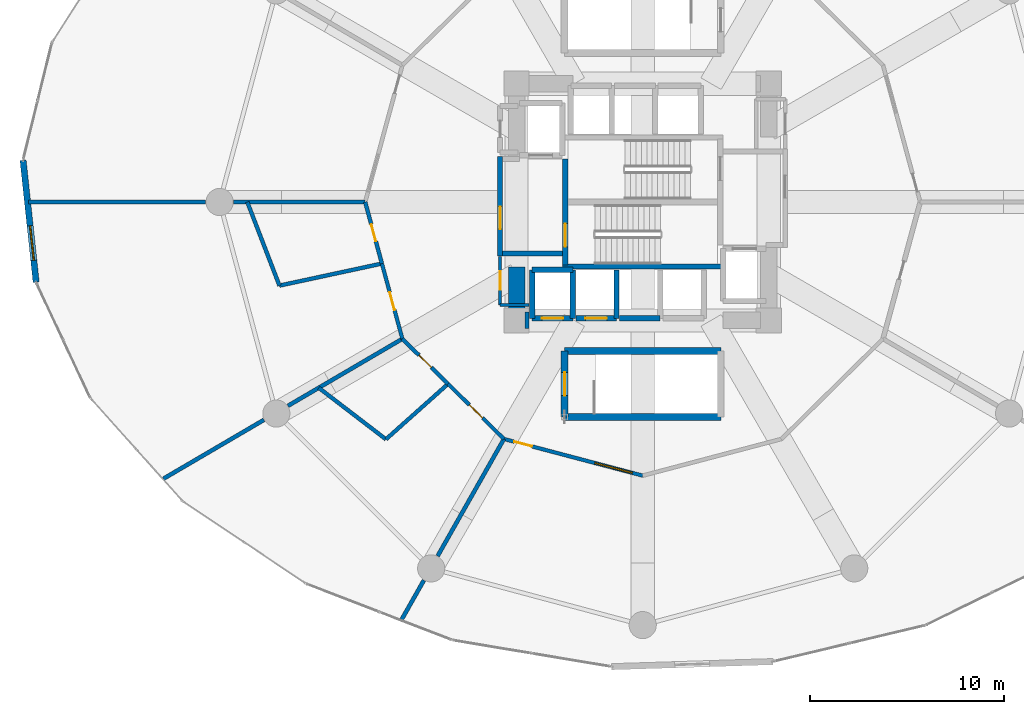
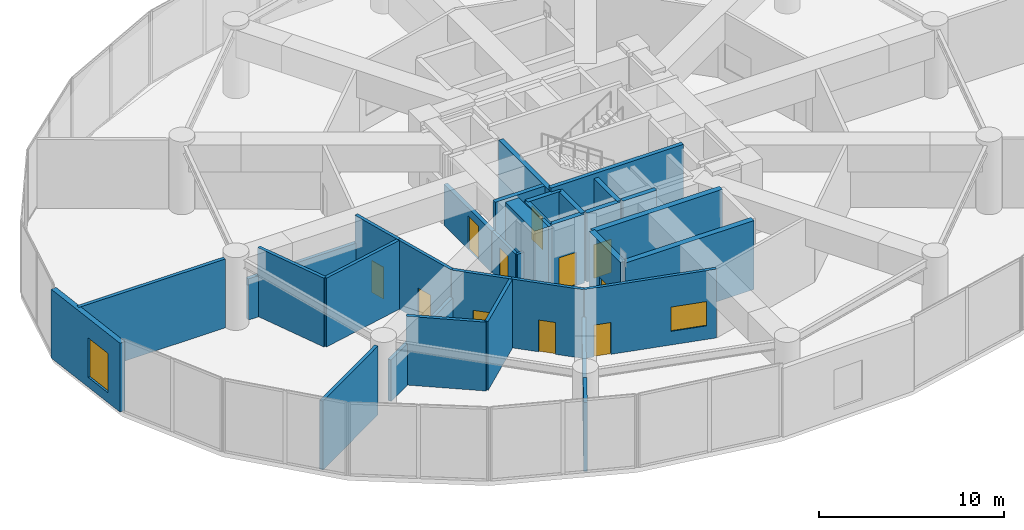
# One storey, part 23 of 27: 34 walls, 11 doors, 2 windows, 13 openings.
"""IFC4 building model written with IfcOpenShell, lengths in metres."""

from ifc_helpers import new_model, si_unit, direction, frame, frame_2d, origin, place, context, subcontext, project, spatial, rectangle, extrude, material, layer, layer_set, type_object, element, fill, save


model = new_model("IFC4")

# Units and contexts
model_context = context("Model", 3, precision=1e-05, world=origin(), true_north=direction((0.0, 1.0)))
body_context = subcontext(model_context, "Body", "Model", "MODEL_VIEW")
ifc_project = project(units=[si_unit("LENGTHUNIT", "METRE"), si_unit("AREAUNIT", "SQUARE_METRE"), si_unit("VOLUMEUNIT", "CUBIC_METRE"), si_unit("PLANEANGLEUNIT", "RADIAN"), si_unit("MASSUNIT", "GRAM", prefix="KILO")], contexts=[model_context])

# Site, building, storey
site_placement = place(None, origin())
site = spatial("IfcSite", under=ifc_project, at=site_placement, CompositionType="ELEMENT")
building_placement = place(site_placement, origin())
building = spatial("IfcBuilding", under=site, at=building_placement, Name="Solvirekh Grand Hotel", CompositionType="ELEMENT")
storey_placement = place(building_placement, frame((0.0, 0.0, 23.60009765625)))
storey = spatial("IfcBuildingStorey", under=building, at=storey_placement, Name="L04", CompositionType="ELEMENT", Elevation=23.60009765625)

# Wall
ifc_material_1 = material(Name="Concrete C50/60", Category="concrete")
ifc_layer_1 = layer(ifc_material_1, 0.35009765625)
ifc_layer_set_1 = layer_set([ifc_layer_1], Name="Concrete C50/60")
wall_type_1 = type_object("IfcWallType", Name="CoreDivWall_RC350", PredefinedType="SOLIDWALL", material=ifc_layer_set_1)
wall_1_placement = place(storey_placement, frame((-4.1298828125, -3.324951171875, 0.0), z_axis=(0.0, 0.0, 1.0), x_axis=(1.0, 0.0, 0.0)))
element("IfcWall", 1, at=wall_1_placement, inside=storey, type_object=wall_type_1, Name="L04 core stair box wall ST-S", PredefinedType="SOLIDWALL", context=body_context, shape_type="SweptSolid", body=[
    extrude(rectangle(XDim=8.259765625, YDim=0.25, at=frame_2d((4.1298828125, 0.0))), origin(), (0.0, 0.0, 1.0), 4.7998046875),
])

# Wall, opening, door
wall_2_placement = place(storey_placement, frame((-4.02490234375, -11.074951171875, 0.0), z_axis=(0.0, 0.0, 1.0), x_axis=(0.0, 1.0, 0.0)))
wall_2 = element("IfcWall", 2, at=wall_2_placement, inside=storey, type_object=wall_type_1, Name="L04 podium stair ST-3 west landing wall", PredefinedType="SOLIDWALL", context=body_context, shape_type="SweptSolid", body=[
    extrude(rectangle(XDim=3.39990234375, YDim=0.35009765625, at=frame_2d((1.699951171875, 0.0))), origin(), (0.0, 0.0, 1.0), 4.539794921875),
])
opening_1_placement = place(wall_2_placement, frame((1.10009765625, 0.0, 0.0)))
opening_1 = element("IfcOpeningElement", 3, at=opening_1_placement, cuts=wall_2, Name="Opening D05", PredefinedType="OPENING", context=body_context, shape_type="SweptSolid", body=[
    extrude(rectangle(XDim=1.199951171875, YDim=2.199951171875, at=frame_2d((0.60009765625, 1.10009765625))), frame((0.0, 0.18505859375, 0.0), z_axis=(0.0, -1.0, 0.0), x_axis=(1.0, 0.0, 0.0)), (0.0, 0.0, 1.0), 0.3701171875),
])
ifc_material_2 = material(Name="Fire-Rated Steel Door Assembly", Category="steel")
door_type_1 = type_object("IfcDoorType", Name="Door_StairCore_1200X2200", OperationType="NOTDEFINED", PredefinedType="DOOR", material=ifc_material_2)
door_1_placement = place(opening_1_placement, origin())
door_1 = element("IfcDoor", 4, at=door_1_placement, inside=storey, type_object=door_type_1, Name="L04 podium stair ST-3 fire door", OperationType="SINGLE_SWING_LEFT", OverallHeight=2.199951171875, OverallWidth=1.199951171875, PredefinedType="DOOR", context=body_context, shape_type="SweptSolid", body=[
    extrude(rectangle(XDim=1.199951171875, YDim=2.199951171875, at=frame_2d((0.60009765625, 1.10009765625))), frame((0.0, 0.02490234375, 0.0), z_axis=(0.0, -1.0, 0.0), x_axis=(1.0, 0.0, 0.0)), (0.0, 0.0, 1.0), 0.050048828125),
])
fill(opening_1, door_1)

# Walls
for number, where, z_axis, x_axis, name in (
    (5, (-4.02490234375, -11.074951171875, 0.0), (0.0, 0.0, 1.0), (1.0, 0.0, 0.0), "L04 podium stair ST-3 S enclosure wall"),
    (6, (4.02490234375, -7.675048828125, 0.0), (0.0, 0.0, 1.0), (-1.0, 0.0, 0.0), "L04 podium stair ST-3 N enclosure wall"),
):
    element("IfcWall", number, at=place(storey_placement, frame(where, z_axis=z_axis, x_axis=x_axis)), inside=storey, type_object=wall_type_1, Name=name, PredefinedType="SOLIDWALL", context=body_context, shape_type="SweptSolid", body=[
        extrude(rectangle(XDim=8.0498046875, YDim=0.35009765625, at=frame_2d((4.02490234375, 0.0))), origin(), (0.0, 0.0, 1.0), 4.539794921875),
    ])

# Wall, opening, door
ifc_material_3 = material(Name="Concrete C40/50", Category="concrete")
ifc_layer_2 = layer(ifc_material_3, 0.280029296875)
ifc_layer_set_2 = layer_set([ifc_layer_2], Name="Concrete C40/50")
wall_type_2 = type_object("IfcWallType", Name="CoreShaftWall_RC280", PredefinedType="SOLIDWALL", material=ifc_layer_set_2)
wall_3_placement = place(storey_placement, frame((-5.699951171875, -6.0, 0.0), z_axis=(0.0, 0.0, 1.0), x_axis=(1.0, 0.0, 0.0)))
wall_3 = element("IfcWall", 7, at=wall_3_placement, inside=storey, type_object=wall_type_2, Name="L04 LP-1 hoistway S wall", PredefinedType="SOLIDWALL", context=body_context, shape_type="SweptSolid", body=[
    extrude(rectangle(XDim=2.099853515625, YDim=0.280029296875, at=frame_2d((1.0498046875, 0.0))), origin(), (0.0, 0.0, 1.0), 4.539794921875),
])
opening_2_placement = place(wall_3_placement, frame((0.5, 0.0, 0.0)))
opening_2 = element("IfcOpeningElement", 8, at=opening_2_placement, cuts=wall_3, Name="Opening LD01", PredefinedType="OPENING", context=body_context, shape_type="SweptSolid", body=[
    extrude(rectangle(XDim=1.10009765625, YDim=2.199951171875, at=frame_2d((0.550048828125, 1.10009765625))), frame((0.0, 0.14990234375, 0.0), z_axis=(0.0, -1.0, 0.0), x_axis=(1.0, 0.0, 0.0)), (0.0, 0.0, 1.0), 0.300048828125),
])
door_type_2 = type_object("IfcDoorType", Name="Door_LiftLanding_1100X2200", OperationType="SLIDING_TO_LEFT", PredefinedType="DOOR", material=ifc_material_2)
door_2_placement = place(opening_2_placement, origin())
door_2 = element("IfcDoor", 9, at=door_2_placement, inside=storey, type_object=door_type_2, Name="L04 LP-1 sliding lift landing door", OperationType="SLIDING_TO_LEFT", OverallHeight=2.199951171875, OverallWidth=1.10009765625, PredefinedType="DOOR", context=body_context, shape_type="SweptSolid", body=[
    extrude(rectangle(XDim=1.10009765625, YDim=2.199951171875, at=frame_2d((0.550048828125, 1.10009765625))), frame((0.0, 0.02490234375, 0.0), z_axis=(0.0, -1.0, 0.0), x_axis=(1.0, 0.0, 0.0)), (0.0, 0.0, 1.0), 0.050048828125),
])
fill(opening_2, door_2)

# Walls
wall_4_placement = place(storey_placement, frame((-3.60009765625, -3.5, 0.0), z_axis=(0.0, 0.0, 1.0), x_axis=(-1.0, 0.0, 0.0)))
element("IfcWall", 10, at=wall_4_placement, inside=storey, type_object=wall_type_2, Name="L04 LP-1 hoistway N wall", PredefinedType="SOLIDWALL", context=body_context, shape_type="SweptSolid", body=[
    extrude(rectangle(XDim=2.099853515625, YDim=0.280029296875, at=frame_2d((1.0498046875, 0.0))), origin(), (0.0, 0.0, 1.0), 4.539794921875),
])
for number, where, z_axis, x_axis, name in (
    (11, (-5.699951171875, -3.5, 0.0), (0.0, 0.0, 1.0), (0.0, -1.0, 0.0), "L04 LP-1 hoistway W wall"),
    (12, (-3.60009765625, -6.0, 0.0), (0.0, 0.0, 1.0), (0.0, 1.0, 0.0), "L04 LP-1 hoistway E wall"),
):
    element("IfcWall", number, at=place(storey_placement, frame(where, z_axis=z_axis, x_axis=x_axis)), inside=storey, type_object=wall_type_2, Name=name, PredefinedType="SOLIDWALL", context=body_context, shape_type="SweptSolid", body=[
        extrude(rectangle(XDim=2.5, YDim=0.280029296875, at=frame_2d((1.25, 0.0))), origin(), (0.0, 0.0, 1.0), 4.539794921875),
    ])

# Wall, opening, door
wall_5_placement = place(storey_placement, frame((-3.449951171875, -6.0, 0.0), z_axis=(0.0, 0.0, 1.0), x_axis=(1.0, 0.0, 0.0)))
wall_5 = element("IfcWall", 13, at=wall_5_placement, inside=storey, type_object=wall_type_2, Name="L04 LP-2 hoistway S wall", PredefinedType="SOLIDWALL", context=body_context, shape_type="SweptSolid", body=[
    extrude(rectangle(XDim=2.099853515625, YDim=0.280029296875, at=frame_2d((1.0498046875, 0.0))), origin(), (0.0, 0.0, 1.0), 4.539794921875),
])
opening_3_placement = place(wall_5_placement, frame((0.5, 0.0, 0.0)))
opening_3 = element("IfcOpeningElement", 14, at=opening_3_placement, cuts=wall_5, Name="Opening LD01", PredefinedType="OPENING", context=body_context, shape_type="SweptSolid", body=[
    extrude(rectangle(XDim=1.10009765625, YDim=2.199951171875, at=frame_2d((0.550048828125, 1.10009765625))), frame((0.0, 0.14990234375, 0.0), z_axis=(0.0, -1.0, 0.0), x_axis=(1.0, 0.0, 0.0)), (0.0, 0.0, 1.0), 0.300048828125),
])
door_3_placement = place(opening_3_placement, origin())
door_3 = element("IfcDoor", 15, at=door_3_placement, inside=storey, type_object=door_type_2, Name="L04 LP-2 sliding lift landing door", OperationType="SLIDING_TO_LEFT", OverallHeight=2.199951171875, OverallWidth=1.10009765625, PredefinedType="DOOR", context=body_context, shape_type="SweptSolid", body=[
    extrude(rectangle(XDim=1.10009765625, YDim=2.199951171875, at=frame_2d((0.550048828125, 1.10009765625))), frame((0.0, 0.02490234375, 0.0), z_axis=(0.0, -1.0, 0.0), x_axis=(1.0, 0.0, 0.0)), (0.0, 0.0, 1.0), 0.050048828125),
])
fill(opening_3, door_3)

# Walls
wall_6_placement = place(storey_placement, frame((-1.35009765625, -6.0, 0.0), z_axis=(0.0, 0.0, 1.0), x_axis=(0.0, 1.0, 0.0)))
element("IfcWall", 16, at=wall_6_placement, inside=storey, type_object=wall_type_2, Name="L04 LP-2 hoistway E wall", PredefinedType="SOLIDWALL", context=body_context, shape_type="SweptSolid", body=[
    extrude(rectangle(XDim=2.5, YDim=0.280029296875, at=frame_2d((1.25, 0.0))), origin(), (0.0, 0.0, 1.0), 4.539794921875),
])
wall_7_placement = place(storey_placement, frame((-1.199951171875, -6.0, 0.0), z_axis=(0.0, 0.0, 1.0), x_axis=(1.0, 0.0, 0.0)))
element("IfcWall", 17, at=wall_7_placement, inside=storey, type_object=wall_type_2, Name="L04 MP-1 hoistway S wall", PredefinedType="SOLIDWALL", context=body_context, shape_type="SweptSolid", body=[
    extrude(rectangle(XDim=2.099853515625, YDim=0.280029296875, at=frame_2d((1.0498046875, 0.0))), origin(), (0.0, 0.0, 1.0), 4.539794921875),
])

# Wall, opening, door
wall_8_placement = place(storey_placement, frame((-3.989990234375, -3.25, 0.0), z_axis=(0.0, 0.0, 1.0), x_axis=(0.0, 1.0, 0.0)))
wall_8 = element("IfcWall", 18, at=wall_8_placement, inside=storey, type_object=wall_type_2, Name="L04 west stair landing enclosure wall", PredefinedType="SOLIDWALL", context=body_context, shape_type="SweptSolid", body=[
    extrude(rectangle(XDim=5.4599609375, YDim=0.280029296875, at=frame_2d((2.72998046875, 0.0))), origin(), (0.0, 0.0, 1.0), 4.539794921875),
])
opening_4_placement = place(wall_8_placement, frame((0.93701171875, 0.0, 0.0)))
opening_4 = element("IfcOpeningElement", 19, at=opening_4_placement, cuts=wall_8, Name="Opening D05", PredefinedType="OPENING", context=body_context, shape_type="SweptSolid", body=[
    extrude(rectangle(XDim=1.199951171875, YDim=2.199951171875, at=frame_2d((0.60009765625, 1.10009765625))), frame((0.0, 0.14990234375, 0.0), z_axis=(0.0, -1.0, 0.0), x_axis=(1.0, 0.0, 0.0)), (0.0, 0.0, 1.0), 0.300048828125),
])
door_4_placement = place(opening_4_placement, origin())
door_4 = element("IfcDoor", 20, at=door_4_placement, inside=storey, type_object=door_type_1, Name="L04 exit stair ST-1 fire door", OperationType="SINGLE_SWING_LEFT", OverallHeight=2.199951171875, OverallWidth=1.199951171875, PredefinedType="DOOR", context=body_context, shape_type="SweptSolid", body=[
    extrude(rectangle(XDim=1.199951171875, YDim=2.199951171875, at=frame_2d((0.60009765625, 1.10009765625))), frame((0.0, 0.02490234375, 0.0), z_axis=(0.0, -1.0, 0.0), x_axis=(1.0, 0.0, 0.0)), (0.0, 0.0, 1.0), 0.050048828125),
])
fill(opening_4, door_4)

# Walls
ifc_material_4 = material(Name="Concrete C60/75", Category="concrete")
ifc_layer_3 = layer(ifc_material_4, 0.85009765625)
ifc_layer_set_3 = layer_set([ifc_layer_3], Name="Concrete C60/75")
wall_type_3 = type_object("IfcWallType", Name="CoreWall_RC850", PredefinedType="SHEAR", material=ifc_layer_set_3)
wall_9_placement = place(storey_placement, frame((-6.074951171875, -6.10009765625, 0.0), z_axis=(0.0, 0.0, 1.0), x_axis=(1.0, 0.0, 0.0)))
element("IfcWall", 21, at=wall_9_placement, inside=storey, type_object=wall_type_3, Name="L04 core corner shear wall SW-S", PredefinedType="SHEAR", context=body_context, shape_type="SweptSolid", body=[
    extrude(rectangle(XDim=0.224853515625, YDim=0.85009765625, at=frame_2d((0.1123046875, 0.0))), origin(), (0.0, 0.0, 1.0), 4.7998046875),
])
wall_10_placement = place(storey_placement, frame((-6.5, -6.52490234375, 0.0), z_axis=(0.0, 0.0, 1.0), x_axis=(0.0, 1.0, 0.0)))
element("IfcWall", 22, at=wall_10_placement, inside=storey, type_object=wall_type_3, Name="L04 core corner shear wall WS-W", PredefinedType="SHEAR", context=body_context, shape_type="SweptSolid", body=[
    extrude(rectangle(XDim=3.1748046875, YDim=0.85009765625, at=frame_2d((1.58740234375, 0.0))), origin(), (0.0, 0.0, 1.0), 4.7998046875),
])

# Wall, opening, window
ifc_material_5 = material(Name="Precast concrete C45/55", Category="concrete")
ifc_layer_4 = layer(ifc_material_5, 0.320068359375)
ifc_layer_set_4 = layer_set([ifc_layer_4], Name="Precast concrete C45/55")
wall_type_4 = type_object("IfcWallType", Name="ExtLobbyWall_RC320", PredefinedType="SOLIDWALL", material=ifc_layer_set_4)
wall_11_placement = place(storey_placement, frame((-31.256103515625, -4.1279296875, 0.0), z_axis=(0.0, 0.0, 1.0), x_axis=(-0.106530390003, 0.994309446805, 0.0)))
wall_11 = element("IfcWall", 23, at=wall_11_placement, inside=storey, type_object=wall_type_4, Name="L04 exterior structural wall chord 13", PredefinedType="SOLIDWALL", context=body_context, shape_type="SweptSolid", body=[
    extrude(rectangle(XDim=6.306884765625, YDim=0.320068359375, at=frame_2d((3.1533203125, 0.0))), origin(), (0.0, 0.0, 1.0), 4.539794921875),
])
opening_5_placement = place(wall_11_placement, frame((1.1240234375, 0.0, 0.64990234375)))
opening_5 = element("IfcOpeningElement", 24, at=opening_5_placement, cuts=wall_11, Name="Opening W02", PredefinedType="OPENING", context=body_context, shape_type="SweptSolid", body=[
    extrude(rectangle(XDim=1.800048828125, YDim=2.60009765625, at=frame_2d((0.89990234375, 1.300048828125))), frame((0.0, 0.169921875, 0.0), z_axis=(0.0, -1.0, 0.0), x_axis=(1.0, 0.0, 0.0)), (0.0, 0.0, 1.0), 0.340087890625),
])
ifc_material_6 = material(Name="Low-E Tinted Bronze Laminated Glass", Category="aluminium")
window_type_1 = type_object("IfcWindowType", Name="Win_LobbyExt_1800X2600", PartitioningType="SINGLE_PANEL", PredefinedType="WINDOW", material=ifc_material_6)
window_1_placement = place(opening_5_placement, origin())
window_1 = element("IfcWindow", 25, at=window_1_placement, inside=storey, type_object=window_type_1, Name="L04 panoramic bronze-framed window 13", OverallHeight=2.60009765625, OverallWidth=1.800048828125, PartitioningType="SINGLE_PANEL", PredefinedType="WINDOW", context=body_context, shape_type="SweptSolid", body=[
    extrude(rectangle(XDim=1.800048828125, YDim=2.60009765625, at=frame_2d((0.89990234375, 1.300048828125))), frame((0.0, 0.030029296875, 0.0), z_axis=(0.0, -1.0, 0.0), x_axis=(1.0, 0.0, 0.0)), (0.0, 0.0, 1.0), 0.06005859375),
])
fill(opening_5, window_1)

# Wall
ifc_material_7 = material(Name="Acoustic Gypsum Partition Assembly")
ifc_layer_5 = layer(ifc_material_7, 0.1650390625)
ifc_layer_set_5 = layer_set([ifc_layer_5], Name="Acoustic Gypsum Partition Assembly")
wall_type_5 = type_object("IfcWallType", Name="Part_BOH_165", PredefinedType="PARTITIONING", material=ifc_layer_set_5)
wall_12_placement = place(storey_placement, frame((-7.35009765625, -5.300048828125, 0.0), z_axis=(0.0, 0.0, 1.0), x_axis=(1.0, 0.0, 0.0)))
element("IfcWall", 26, at=wall_12_placement, inside=storey, type_object=wall_type_5, Name="L04 L04 Core Linen Store wall 1", PredefinedType="PARTITIONING", context=body_context, shape_type="SweptSolid", body=[
    extrude(rectangle(XDim=1.5, YDim=0.1650390625, at=frame_2d((0.75, 0.0))), origin(), (0.0, 0.0, 1.0), 2.724853515625),
])

# Wall, opening, door
wall_13_placement = place(storey_placement, frame((-7.35009765625, -2.800048828125, 0.0), z_axis=(0.0, 0.0, 1.0), x_axis=(0.0, -1.0, 0.0)))
wall_13 = element("IfcWall", 27, at=wall_13_placement, inside=storey, type_object=wall_type_5, Name="L04 L04 Core Linen Store wall 4", PredefinedType="PARTITIONING", context=body_context, shape_type="SweptSolid", body=[
    extrude(rectangle(XDim=2.5, YDim=0.1650390625, at=frame_2d((1.25, 0.0))), origin(), (0.0, 0.0, 1.0), 2.724853515625),
])
opening_6_placement = place(wall_13_placement, frame((0.77490234375, 0.0, 0.0)))
opening_6 = element("IfcOpeningElement", 28, at=opening_6_placement, cuts=wall_13, Name="Opening D10", PredefinedType="OPENING", context=body_context, shape_type="SweptSolid", body=[
    extrude(rectangle(XDim=0.949951171875, YDim=2.10009765625, at=frame_2d((0.47509765625, 1.050048828125))), frame((0.0, 0.092529296875, 0.0), z_axis=(0.0, -1.0, 0.0), x_axis=(1.0, 0.0, 0.0)), (0.0, 0.0, 1.0), 0.18505859375),
])
ifc_material_8 = material(Name="Anodized Bronze Aluminium 6063-T6", Category="aluminium")
door_type_3 = type_object("IfcDoorType", Name="Door_RoomInt_950X2100", OperationType="NOTDEFINED", PredefinedType="DOOR", material=ifc_material_8)
door_5_placement = place(opening_6_placement, origin())
door_5 = element("IfcDoor", 29, at=door_5_placement, inside=storey, type_object=door_type_3, Name="L04 L04 Core Linen Store door", OperationType="SINGLE_SWING_RIGHT", OverallHeight=2.10009765625, OverallWidth=0.949951171875, PredefinedType="DOOR", context=body_context, shape_type="SweptSolid", body=[
    extrude(rectangle(XDim=0.949951171875, YDim=2.10009765625, at=frame_2d((0.47509765625, 1.050048828125))), frame((0.0, 0.02490234375, 0.0), z_axis=(0.0, -1.0, 0.0), x_axis=(1.0, 0.0, 0.0)), (0.0, 0.0, 1.0), 0.050048828125),
])
fill(opening_6, door_5)

ifc_layer_6 = layer(ifc_material_7, 0.239990234375)
ifc_layer_set_6 = layer_set([ifc_layer_6], Name="Acoustic Gypsum Partition Assembly")
wall_type_6 = type_object("IfcWallType", Name="Part_Corridor_240", PredefinedType="PARTITIONING", material=ifc_layer_set_6)
wall_14_placement = place(storey_placement, frame((-7.35009765625, -2.780029296875, 0.0), z_axis=(0.0, 0.0, 1.0), x_axis=(0.0, 1.0, 0.0)))
wall_14 = element("IfcWall", 30, at=wall_14_placement, inside=storey, type_object=wall_type_6, Name="L04 west firefighting lobby smoke screen wall", PredefinedType="PARTITIONING", context=body_context, shape_type="SweptSolid", body=[
    extrude(rectangle(XDim=5.1201171875, YDim=0.239990234375, at=frame_2d((2.56005859375, 0.0))), origin(), (0.0, 0.0, 1.0), 2.724853515625),
])
opening_7_placement = place(wall_14_placement, frame((1.388916015625, 0.0, 0.0)))
opening_7 = element("IfcOpeningElement", 31, at=opening_7_placement, cuts=wall_14, Name="Opening D06", PredefinedType="OPENING", context=body_context, shape_type="SweptSolid", body=[
    extrude(rectangle(XDim=1.14990234375, YDim=2.199951171875, at=frame_2d((0.574951171875, 1.10009765625))), frame((0.0, 0.1298828125, 0.0), z_axis=(0.0, -1.0, 0.0), x_axis=(1.0, 0.0, 0.0)), (0.0, 0.0, 1.0), 0.260009765625),
])
door_type_4 = type_object("IfcDoorType", Name="Door_FFLobby_1150X2200", OperationType="NOTDEFINED", PredefinedType="DOOR", material=ifc_material_2)
door_6_placement = place(opening_7_placement, origin())
door_6 = element("IfcDoor", 32, at=door_6_placement, inside=storey, type_object=door_type_4, Name="L04 west firefighting lobby smoke door", OperationType="SINGLE_SWING_LEFT", OverallHeight=2.199951171875, OverallWidth=1.14990234375, PredefinedType="DOOR", context=body_context, shape_type="SweptSolid", body=[
    extrude(rectangle(XDim=1.14990234375, YDim=2.199951171875, at=frame_2d((0.574951171875, 1.10009765625))), frame((0.0, 0.02490234375, 0.0), z_axis=(0.0, -1.0, 0.0), x_axis=(1.0, 0.0, 0.0)), (0.0, 0.0, 1.0), 0.050048828125),
])
fill(opening_7, door_6)

ifc_layer_7 = layer(ifc_material_7, 0.18994140625)
ifc_layer_set_7 = layer_set([ifc_layer_7], Name="Acoustic Gypsum Partition Assembly")
wall_type_7 = type_object("IfcWallType", Name="Part_GuestDemise_190", PredefinedType="PARTITIONING", material=ifc_layer_set_7)
wall_15_placement = place(storey_placement, frame((-13.43798828125, -3.172119140625, 0.0), z_axis=(0.0, 0.0, 1.0), x_axis=(0.262269103922, -0.9649947757, 0.0)))
wall_15 = element("IfcWall", 33, at=wall_15_placement, inside=storey, type_object=wall_type_7, Name="L04 Spa Herbal Tea & Relaxation Salon corridor wall", PredefinedType="PARTITIONING", context=body_context, shape_type="SweptSolid", body=[
    extrude(rectangle(XDim=4.0185546875, YDim=0.18994140625, at=frame_2d((2.00927734375, 0.0))), origin(), (0.0, 0.0, 1.0), 4.539794921875),
])
opening_8_placement = place(wall_15_placement, frame((1.533935546875, 0.0, 0.0)))
opening_8 = element("IfcOpeningElement", 34, at=opening_8_placement, cuts=wall_15, Name="Opening D10", PredefinedType="OPENING", context=body_context, shape_type="SweptSolid", body=[
    extrude(rectangle(XDim=0.949951171875, YDim=2.10009765625, at=frame_2d((0.47509765625, 1.050048828125))), frame((0.0, 0.10498046875, 0.0), z_axis=(0.0, -1.0, 0.0), x_axis=(1.0, 0.0, 0.0)), (0.0, 0.0, 1.0), 0.2099609375),
])
door_7_placement = place(opening_8_placement, origin())
door_7 = element("IfcDoor", 35, at=door_7_placement, inside=storey, type_object=door_type_3, Name="L04 Spa Herbal Tea & Relaxation Salon entrance door", OperationType="SINGLE_SWING_LEFT", OverallHeight=2.10009765625, OverallWidth=0.949951171875, PredefinedType="DOOR", context=body_context, shape_type="SweptSolid", body=[
    extrude(rectangle(XDim=0.949951171875, YDim=2.10009765625, at=frame_2d((0.47509765625, 1.050048828125))), frame((0.0, 0.02490234375, 0.0), z_axis=(0.0, -1.0, 0.0), x_axis=(1.0, 0.0, 0.0)), (0.0, 0.0, 1.0), 0.050048828125),
])
fill(opening_8, door_7)

wall_16_placement = place(storey_placement, frame((-10.029052734375, -9.3720703125, 0.0), z_axis=(0.0, 0.0, 1.0), x_axis=(0.712070649597, -0.702107819343, 0.0)))
wall_16 = element("IfcWall", 36, at=wall_16_placement, inside=storey, type_object=wall_type_7, Name="L04 Beauty & Aromatherapy Salon corridor wall", PredefinedType="PARTITIONING", context=body_context, shape_type="SweptSolid", body=[
    extrude(rectangle(XDim=4.04345703125, YDim=0.18994140625, at=frame_2d((2.021728515625, 0.0))), origin(), (0.0, 0.0, 1.0), 4.539794921875),
])
opening_9_placement = place(wall_16_placement, frame((1.547119140625, 0.0, 0.0)))
opening_9 = element("IfcOpeningElement", 37, at=opening_9_placement, cuts=wall_16, Name="Opening D10", PredefinedType="OPENING", context=body_context, shape_type="SweptSolid", body=[
    extrude(rectangle(XDim=0.949951171875, YDim=2.10009765625, at=frame_2d((0.47509765625, 1.050048828125))), frame((0.0, 0.10498046875, 0.0), z_axis=(0.0, -1.0, 0.0), x_axis=(1.0, 0.0, 0.0)), (0.0, 0.0, 1.0), 0.2099609375),
])
door_8_placement = place(opening_9_placement, origin())
door_8 = element("IfcDoor", 38, at=door_8_placement, inside=storey, type_object=door_type_3, Name="L04 Beauty & Aromatherapy Salon entrance door", OperationType="SINGLE_SWING_LEFT", OverallHeight=2.10009765625, OverallWidth=0.949951171875, PredefinedType="DOOR", context=body_context, shape_type="SweptSolid", body=[
    extrude(rectangle(XDim=0.949951171875, YDim=2.10009765625, at=frame_2d((0.47509765625, 1.050048828125))), frame((0.0, 0.02490234375, 0.0), z_axis=(0.0, -1.0, 0.0), x_axis=(1.0, 0.0, 0.0)), (0.0, 0.0, 1.0), 0.050048828125),
])
fill(opening_9, door_8)

# Wall, openings, door, window
wall_17_placement = place(storey_placement, frame((-7.14990234375, -12.2109375, 0.0), z_axis=(0.0, 0.0, 1.0), x_axis=(0.966820901533, -0.255455170937, 0.0)))
wall_17 = element("IfcWall", 39, at=wall_17_placement, inside=storey, type_object=wall_type_7, Name="L04 Holistic Massage & Treatment Hall corridor wall", PredefinedType="PARTITIONING", context=body_context, shape_type="SweptSolid", body=[
    extrude(rectangle(XDim=7.395263671875, YDim=0.18994140625, at=frame_2d((3.69775390625, 0.0))), origin(), (0.0, 0.0, 1.0), 4.539794921875),
])
opening_10_placement = place(wall_17_placement, frame((0.550048828125, 0.0, 0.0)))
opening_10 = element("IfcOpeningElement", 40, at=opening_10_placement, cuts=wall_17, Name="Opening D10", PredefinedType="OPENING", context=body_context, shape_type="SweptSolid", body=[
    extrude(rectangle(XDim=0.949951171875, YDim=2.10009765625, at=frame_2d((0.47509765625, 1.050048828125))), frame((0.0, 0.10498046875, 0.0), z_axis=(0.0, -1.0, 0.0), x_axis=(1.0, 0.0, 0.0)), (0.0, 0.0, 1.0), 0.2099609375),
])
opening_11_placement = place(wall_17_placement, frame((4.844970703125, 0.0, 0.89990234375)))
opening_11 = element("IfcOpeningElement", 41, at=opening_11_placement, cuts=wall_17, Name="Opening W03", PredefinedType="OPENING", context=body_context, shape_type="SweptSolid", body=[
    extrude(rectangle(XDim=2.0, YDim=1.60009765625, at=frame_2d((1.0, 0.800048828125))), frame((0.0, 0.10498046875, 0.0), z_axis=(0.0, -1.0, 0.0), x_axis=(1.0, 0.0, 0.0)), (0.0, 0.0, 1.0), 0.2099609375),
])
door_9_placement = place(opening_10_placement, origin())
door_9 = element("IfcDoor", 42, at=door_9_placement, inside=storey, type_object=door_type_3, Name="L04 Holistic Massage & Treatment Hall entrance door", OperationType="SINGLE_SWING_RIGHT", OverallHeight=2.10009765625, OverallWidth=0.949951171875, PredefinedType="DOOR", context=body_context, shape_type="SweptSolid", body=[
    extrude(rectangle(XDim=0.949951171875, YDim=2.10009765625, at=frame_2d((0.47509765625, 1.050048828125))), frame((0.0, 0.02490234375, 0.0), z_axis=(0.0, -1.0, 0.0), x_axis=(1.0, 0.0, 0.0)), (0.0, 0.0, 1.0), 0.050048828125),
])
fill(opening_10, door_9)
ifc_material_9 = material(Name="Fire-Rated Ceramic Glazing", Category="glass")
window_type_2 = type_object("IfcWindowType", Name="Win_FoyerInt_2000X1600", PartitioningType="SINGLE_PANEL", PredefinedType="WINDOW", material=ifc_material_9)
window_2_placement = place(opening_11_placement, origin())
window_2 = element("IfcWindow", 43, at=window_2_placement, inside=storey, type_object=window_type_2, Name="L04 Holistic Massage & Treatment Hall interior glazed screen", OverallHeight=1.60009765625, OverallWidth=2.0, PartitioningType="SINGLE_PANEL", PredefinedType="WINDOW", context=body_context, shape_type="SweptSolid", body=[
    extrude(rectangle(XDim=2.0, YDim=1.60009765625, at=frame_2d((1.0, 0.800048828125))), frame((0.0, 0.030029296875, 0.0), z_axis=(0.0, -1.0, 0.0), x_axis=(1.0, 0.0, 0.0)), (0.0, 0.0, 1.0), 0.06005859375),
])
fill(opening_11, window_2)

# Walls
ifc_layer_8 = layer(ifc_material_7, 0.260009765625)
ifc_layer_set_8 = layer_set([ifc_layer_8], Name="Acoustic Gypsum Partition Assembly")
wall_type_8 = type_object("IfcWallType", Name="Part_LobbyFF_260", PredefinedType="PARTITIONING", material=ifc_layer_set_8)
wall_18_placement = place(storey_placement, frame((-7.22509765625, -2.64990234375, 0.0), z_axis=(0.0, 0.0, 1.0), x_axis=(1.0, 0.0, 0.0)))
element("IfcWall", 44, at=wall_18_placement, inside=storey, type_object=wall_type_8, Name="L04 west firefighting lobby south partition", PredefinedType="PARTITIONING", context=body_context, shape_type="SweptSolid", body=[
    extrude(rectangle(XDim=3.09521484375, YDim=0.260009765625, at=frame_2d((1.547607421875, 0.0))), origin(), (0.0, 0.0, 1.0), 4.539794921875),
])
ifc_layer_9 = layer(ifc_material_7, 0.2099609375)
ifc_layer_set_9 = layer_set([ifc_layer_9], Name="Acoustic Gypsum Partition Assembly")
wall_type_9 = type_object("IfcWallType", Name="Part_SuiteDemise_210", PredefinedType="PARTITIONING", material=ifc_layer_set_9)
wall_19_placement = place(storey_placement, frame((-14.300048828125, 0.0, 0.0), z_axis=(0.0, 0.0, 1.0), x_axis=(-1.0, 0.0, 0.0)))
element("IfcWall", 45, at=wall_19_placement, inside=storey, type_object=wall_type_9, Name="L04 radial demising wall 7 (A)", PredefinedType="PARTITIONING", context=body_context, shape_type="SweptSolid", body=[
    extrude(rectangle(XDim=6.780029296875, YDim=0.2099609375, at=frame_2d((3.39013671875, 0.0))), origin(), (0.0, 0.0, 1.0), 2.724853515625),
])
wall_20_placement = place(storey_placement, frame((-22.52001953125, 0.0, 0.0), z_axis=(0.0, 0.0, 1.0), x_axis=(-1.0, 0.0, 0.0)))
element("IfcWall", 46, at=wall_20_placement, inside=storey, type_object=wall_type_9, Name="L04 radial demising wall 7 (B)", PredefinedType="PARTITIONING", context=body_context, shape_type="SweptSolid", body=[
    extrude(rectangle(XDim=9.137939453125, YDim=0.2099609375, at=frame_2d((4.56884765625, 0.0))), origin(), (0.0, 0.0, 1.0), 4.539794921875),
])
wall_21_placement = place(storey_placement, frame((-12.384033203125, -7.050048828125, 0.0), z_axis=(0.0, 0.0, 1.0), x_axis=(-0.862940354658, -0.505305792865, 0.0)))
element("IfcWall", 47, at=wall_21_placement, inside=storey, type_object=wall_type_9, Name="L04 radial demising wall 8 (A)", PredefinedType="PARTITIONING", context=body_context, shape_type="SweptSolid", body=[
    extrude(rectangle(XDim=6.831298828125, YDim=0.2099609375, at=frame_2d((3.41552734375, 0.0))), origin(), (0.0, 0.0, 1.0), 2.724853515625),
])
wall_22_placement = place(storey_placement, frame((-19.52001953125, -11.22802734375, 0.0), z_axis=(0.0, 0.0, 1.0), x_axis=(-0.862973355077, -0.505249431892, 0.0)))
element("IfcWall", 48, at=wall_22_placement, inside=storey, type_object=wall_type_9, Name="L04 radial demising wall 8 (B)", PredefinedType="PARTITIONING", context=body_context, shape_type="SweptSolid", body=[
    extrude(rectangle(XDim=5.9990234375, YDim=0.2099609375, at=frame_2d((2.99951171875, 0.0))), origin(), (0.0, 0.0, 1.0), 4.539794921875),
])
wall_23_placement = place(storey_placement, frame((-7.14990234375, -12.2109375, 0.0), z_axis=(0.0, 0.0, 1.0), x_axis=(-0.493009905658, -0.87002369676, 0.0)))
element("IfcWall", 49, at=wall_23_placement, inside=storey, type_object=wall_type_9, Name="L04 radial demising wall 9 (A)", PredefinedType="PARTITIONING", context=body_context, shape_type="SweptSolid", body=[
    extrude(rectangle(XDim=6.930908203125, YDim=0.2099609375, at=frame_2d((3.46533203125, 0.0))), origin(), (0.0, 0.0, 1.0), 2.724853515625),
])
wall_24_placement = place(storey_placement, frame((-11.27587890625, -19.492919921875, 0.0), z_axis=(0.0, 0.0, 1.0), x_axis=(-0.493041569547, -0.870005753256, 0.0)))
element("IfcWall", 50, at=wall_24_placement, inside=storey, type_object=wall_type_9, Name="L04 radial demising wall 9 (B)", PredefinedType="PARTITIONING", context=body_context, shape_type="SweptSolid", body=[
    extrude(rectangle(XDim=2.336669921875, YDim=0.2099609375, at=frame_2d((1.16845703125, 0.0))), origin(), (0.0, 0.0, 1.0), 4.539794921875),
])

# Wall, opening, door
ifc_layer_10 = layer(ifc_material_7, 0.199951171875)
ifc_layer_set_10 = layer_set([ifc_layer_10], Name="Acoustic Gypsum Partition Assembly")
wall_type_10 = type_object("IfcWallType", Name="Plumb_PublicWC_200", PredefinedType="PLUMBINGWALL", material=ifc_layer_set_10)
wall_25_placement = place(storey_placement, frame((-14.300048828125, 0.0, 0.0), z_axis=(0.0, 0.0, 1.0), x_axis=(0.262250045558, -0.964999955236, 0.0)))
wall_25 = element("IfcWall", 51, at=wall_25_placement, inside=storey, type_object=wall_type_10, Name="L04 Spa Accessible Changing WC corridor wall", PredefinedType="PLUMBINGWALL", context=body_context, shape_type="SweptSolid", body=[
    extrude(rectangle(XDim=3.287109375, YDim=0.199951171875, at=frame_2d((1.6435546875, 0.0))), origin(), (0.0, 0.0, 1.0), 4.539794921875),
])
opening_12_placement = place(wall_25_placement, frame((1.194091796875, 0.0, 0.0)))
opening_12 = element("IfcOpeningElement", 52, at=opening_12_placement, cuts=wall_25, Name="Opening D09", PredefinedType="OPENING", context=body_context, shape_type="SweptSolid", body=[
    extrude(rectangle(XDim=0.89990234375, YDim=2.10009765625, at=frame_2d((0.449951171875, 1.050048828125))), frame((0.0, 0.10986328125, 0.0), z_axis=(0.0, -1.0, 0.0), x_axis=(1.0, 0.0, 0.0)), (0.0, 0.0, 1.0), 0.219970703125),
])
door_type_5 = type_object("IfcDoorType", Name="Door_Ensuite_900X2100", OperationType="NOTDEFINED", PredefinedType="DOOR", material=ifc_material_8)
door_10_placement = place(opening_12_placement, origin())
door_10 = element("IfcDoor", 53, at=door_10_placement, inside=storey, type_object=door_type_5, Name="L04 Spa Accessible Changing WC entrance door", OperationType="SINGLE_SWING_RIGHT", OverallHeight=2.10009765625, OverallWidth=0.89990234375, PredefinedType="DOOR", context=body_context, shape_type="SweptSolid", body=[
    extrude(rectangle(XDim=0.89990234375, YDim=2.10009765625, at=frame_2d((0.449951171875, 1.050048828125))), frame((0.0, 0.02490234375, 0.0), z_axis=(0.0, -1.0, 0.0), x_axis=(1.0, 0.0, 0.0)), (0.0, 0.0, 1.0), 0.050048828125),
])
fill(opening_12, door_10)

# Walls
wall_26_placement = place(storey_placement, frame((-20.375, 0.0, 0.0), z_axis=(0.0, 0.0, 1.0), x_axis=(0.35879829675, -0.93341511786, 0.0)))
element("IfcWall", 54, at=wall_26_placement, inside=storey, type_object=wall_type_10, Name="L04 Spa Accessible Changing WC outer plumbing wall", PredefinedType="PLUMBINGWALL", context=body_context, shape_type="SweptSolid", body=[
    extrude(rectangle(XDim=4.615478515625, YDim=0.199951171875, at=frame_2d((2.3076171875, 0.0))), origin(), (0.0, 0.0, 1.0), 4.539794921875),
])
wall_27_placement = place(storey_placement, frame((-13.43798828125, -3.172119140625, 0.0), z_axis=(0.0, 0.0, 1.0), x_axis=(-0.977637421757, -0.210297578634, 0.0)))
element("IfcWall", 55, at=wall_27_placement, inside=storey, type_object=wall_type_10, Name="L04 Spa Accessible Changing WC dividing plumbing wall", PredefinedType="PLUMBINGWALL", context=body_context, shape_type="SweptSolid", body=[
    extrude(rectangle(XDim=5.40185546875, YDim=0.199951171875, at=frame_2d((2.700927734375, 0.0))), origin(), (0.0, 0.0, 1.0), 4.539794921875),
])

# Wall, opening, door
wall_28_placement = place(storey_placement, frame((-12.384033203125, -7.050048828125, 0.0), z_axis=(0.0, 0.0, 1.0), x_axis=(0.712072104827, -0.70210634346, 0.0)))
wall_28 = element("IfcWall", 56, at=wall_28_placement, inside=storey, type_object=wall_type_10, Name="L04 Spa Public Restroom corridor wall", PredefinedType="PLUMBINGWALL", context=body_context, shape_type="SweptSolid", body=[
    extrude(rectangle(XDim=3.30712890625, YDim=0.199951171875, at=frame_2d((1.653564453125, 0.0))), origin(), (0.0, 0.0, 1.0), 4.539794921875),
])
opening_13_placement = place(wall_28_placement, frame((1.2041015625, 0.0, 0.0)))
opening_13 = element("IfcOpeningElement", 57, at=opening_13_placement, cuts=wall_28, Name="Opening D09", PredefinedType="OPENING", context=body_context, shape_type="SweptSolid", body=[
    extrude(rectangle(XDim=0.89990234375, YDim=2.10009765625, at=frame_2d((0.449951171875, 1.050048828125))), frame((0.0, 0.10986328125, 0.0), z_axis=(0.0, -1.0, 0.0), x_axis=(1.0, 0.0, 0.0)), (0.0, 0.0, 1.0), 0.219970703125),
])
door_11_placement = place(opening_13_placement, origin())
door_11 = element("IfcDoor", 58, at=door_11_placement, inside=storey, type_object=door_type_5, Name="L04 Spa Public Restroom entrance door", OperationType="SINGLE_SWING_RIGHT", OverallHeight=2.10009765625, OverallWidth=0.89990234375, PredefinedType="DOOR", context=body_context, shape_type="SweptSolid", body=[
    extrude(rectangle(XDim=0.89990234375, YDim=2.10009765625, at=frame_2d((0.449951171875, 1.050048828125))), frame((0.0, 0.02490234375, 0.0), z_axis=(0.0, -1.0, 0.0), x_axis=(1.0, 0.0, 0.0)), (0.0, 0.0, 1.0), 0.050048828125),
])
fill(opening_13, door_11)

# Walls
wall_29_placement = place(storey_placement, frame((-16.694091796875, -9.572998046875, 0.0), z_axis=(0.0, 0.0, 1.0), x_axis=(0.79380171633, -0.608176647983, 0.0)))
element("IfcWall", 59, at=wall_29_placement, inside=storey, type_object=wall_type_10, Name="L04 Spa Public Restroom outer plumbing wall", PredefinedType="PLUMBINGWALL", context=body_context, shape_type="SweptSolid", body=[
    extrude(rectangle(XDim=4.364013671875, YDim=0.199951171875, at=frame_2d((2.18212890625, 0.0))), origin(), (0.0, 0.0, 1.0), 4.539794921875),
])
wall_30_placement = place(storey_placement, frame((-10.029052734375, -9.3720703125, 0.0), z_axis=(0.0, 0.0, 1.0), x_axis=(-0.746283971534, -0.665627699117, 0.0)))
element("IfcWall", 60, at=wall_30_placement, inside=storey, type_object=wall_type_10, Name="L04 Spa Public Restroom dividing plumbing wall", PredefinedType="PLUMBINGWALL", context=body_context, shape_type="SweptSolid", body=[
    extrude(rectangle(XDim=4.2890625, YDim=0.199951171875, at=frame_2d((2.14453125, 0.0))), origin(), (0.0, 0.0, 1.0), 4.539794921875),
])

save(model, "model.ifc")
